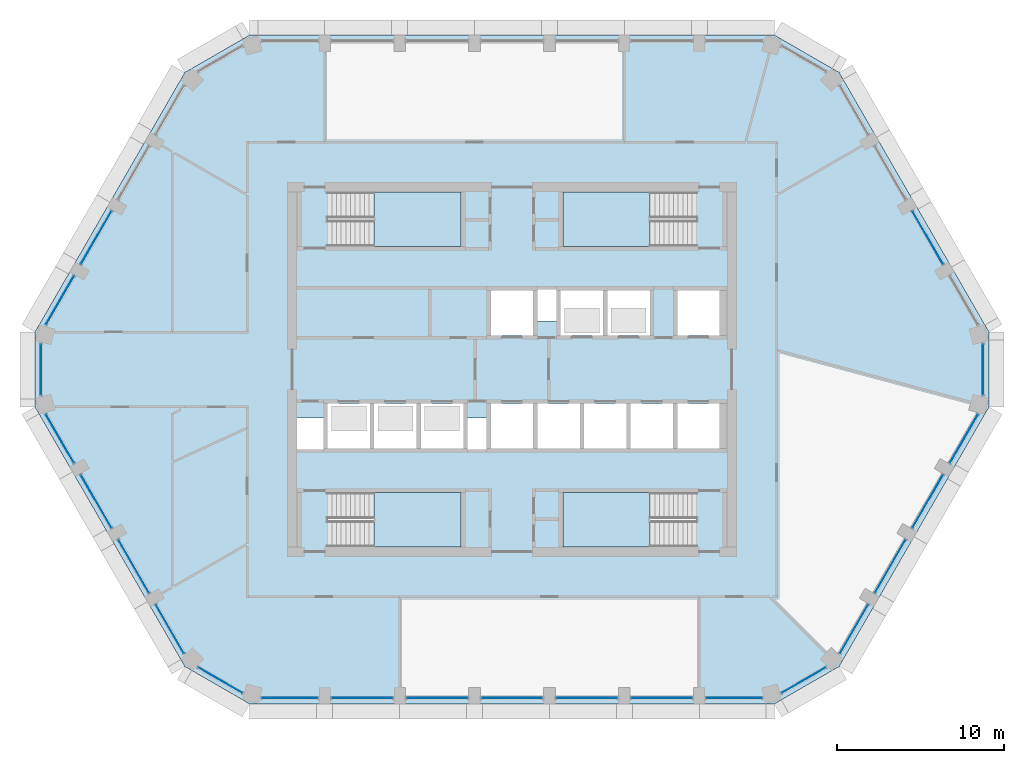
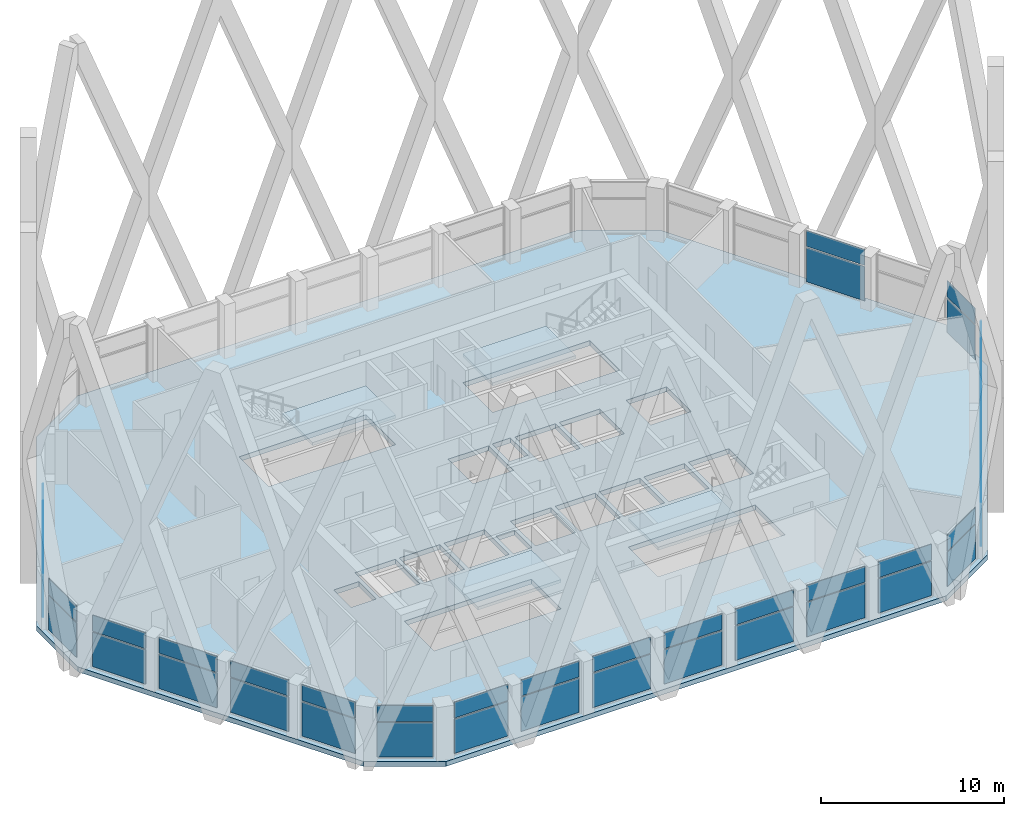
# One storey, part 7 of 20: 44 plates, 5 slabs, 26 elements without a shape of their own.
"""IFC4 building model written with IfcOpenShell, lengths in metres."""

from ifc_helpers import new_model, si_unit, direction, frame, origin, origin_2d, place, context, subcontext, project, spatial, polyline, rectangle, outline, extrude, material, layer, layer_set, type_object, element, aggregate, save


model = new_model("IFC4")

# Units and contexts
model_context = context("Model", 3, precision=1e-05, world=origin(), true_north=direction((0.0, 1.0)))
body_context = subcontext(model_context, "Body", "Model", "MODEL_VIEW")
ifc_project = project(units=[si_unit("LENGTHUNIT", "METRE"), si_unit("AREAUNIT", "SQUARE_METRE"), si_unit("VOLUMEUNIT", "CUBIC_METRE"), si_unit("PLANEANGLEUNIT", "RADIAN"), si_unit("MASSUNIT", "GRAM", prefix="KILO")], contexts=[model_context])

# Site, building, storey
site_placement = place(None, origin())
site = spatial("IfcSite", under=ifc_project, at=site_placement, CompositionType="ELEMENT")
building_placement = place(site_placement, origin())
building = spatial("IfcBuilding", under=site, at=building_placement, Name="Dhurran Vertical Campus", CompositionType="ELEMENT")
storey_placement = place(building_placement, frame((0.0, 0.0, 235.199951171875)))
storey = spatial("IfcBuildingStorey", under=building, at=storey_placement, Name="L58", CompositionType="ELEMENT", Elevation=235.199951171875)

# Slab
ifc_material_1 = material(Name="Concrete C40/50", Category="concrete")
ifc_layer_1 = layer(ifc_material_1, 0.324951171875)
ifc_layer_set_1 = layer_set([ifc_layer_1], Name="Concrete C40/50")
slab_type_1 = type_object("IfcSlabType", Name="FR POST-TENSIONED FLAT SLAB 325", PredefinedType="FLOOR", material=ifc_layer_set_1)
slab_1_placement = place(storey_placement, frame((0.0, 0.0, -0.324951171875)))
element("IfcSlab", 1, at=slab_1_placement, inside=storey, type_object=slab_type_1, Name="Floor slab L58", PredefinedType="FLOOR", context=body_context, shape_type="SweptSolid", body=[
    extrude(outline(polyline([(-15.75, -20.08837890625), (15.75, -20.08837890625), (19.647216796875, -17.83837890625), (28.647216796875, -2.25), (28.647216796875, 2.25), (19.647216796875, 17.83837890625), (15.75, 20.08837890625), (-15.75, 20.08837890625), (-19.647216796875, 17.83837890625), (-28.647216796875, 2.25), (-28.647216796875, -2.25), (-19.647216796875, -17.83837890625), (-15.75, -20.08837890625)]), holes=[polyline([(-1.27490234375, 2.050048828125), (1.27490234375, 2.050048828125), (1.27490234375, 4.75), (-1.27490234375, 4.75), (-1.27490234375, 2.050048828125)]), polyline([(9.925048828125, 2.050048828125), (12.47509765625, 2.050048828125), (12.47509765625, 4.75), (9.925048828125, 4.75), (9.925048828125, 2.050048828125)]), polyline([(-1.27490234375, -4.75), (1.27490234375, -4.75), (1.27490234375, -2.050048828125), (-1.27490234375, -2.050048828125), (-1.27490234375, -4.75)]), polyline([(1.52490234375, -4.75), (4.074951171875, -4.75), (4.074951171875, -2.050048828125), (1.52490234375, -2.050048828125), (1.52490234375, -4.75)]), polyline([(4.324951171875, -4.75), (6.875, -4.75), (6.875, -2.050048828125), (4.324951171875, -2.050048828125), (4.324951171875, -4.75)]), polyline([(7.125, -4.75), (9.675048828125, -4.75), (9.675048828125, -2.050048828125), (7.125, -2.050048828125), (7.125, -4.75)]), polyline([(9.925048828125, -4.75), (12.47509765625, -4.75), (12.47509765625, -2.050048828125), (9.925048828125, -2.050048828125), (9.925048828125, -4.75)]), polyline([(2.925048828125, 2.050048828125), (5.47509765625, 2.050048828125), (5.47509765625, 4.75), (2.925048828125, 4.75), (2.925048828125, 2.050048828125)]), polyline([(5.72509765625, 2.050048828125), (8.27490234375, 2.050048828125), (8.27490234375, 4.75), (5.72509765625, 4.75), (5.72509765625, 2.050048828125)]), polyline([(-11.074951171875, -4.75), (-8.52490234375, -4.75), (-8.52490234375, -2.050048828125), (-11.074951171875, -2.050048828125), (-11.074951171875, -4.75)]), polyline([(-8.27490234375, -4.75), (-5.72509765625, -4.75), (-5.72509765625, -2.050048828125), (-8.27490234375, -2.050048828125), (-8.27490234375, -4.75)]), polyline([(-5.47509765625, -4.75), (-2.925048828125, -4.75), (-2.925048828125, -2.050048828125), (-5.47509765625, -2.050048828125), (-5.47509765625, -4.75)]), polyline([(-11.050048828125, 7.39990234375), (-3.050048828125, 7.39990234375), (-3.050048828125, 10.64990234375), (-11.050048828125, 10.64990234375), (-11.050048828125, 7.39990234375)]), polyline([(3.050048828125, 7.39990234375), (11.050048828125, 7.39990234375), (11.050048828125, 10.64990234375), (3.050048828125, 10.64990234375), (3.050048828125, 7.39990234375)]), polyline([(-11.050048828125, -10.64990234375), (-3.050048828125, -10.64990234375), (-3.050048828125, -7.39990234375), (-11.050048828125, -7.39990234375), (-11.050048828125, -10.64990234375)]), polyline([(3.050048828125, -10.64990234375), (11.050048828125, -10.64990234375), (11.050048828125, -7.39990234375), (3.050048828125, -7.39990234375), (3.050048828125, -10.64990234375)]), polyline([(2.675048828125, 2.89990234375), (1.52490234375, 2.89990234375), (1.52490234375, 4.800048828125), (2.675048828125, 4.800048828125), (2.675048828125, 2.89990234375)]), polyline([(-12.89990234375, -2.89990234375), (-11.324951171875, -2.89990234375), (-11.324951171875, -4.800048828125), (-12.89990234375, -4.800048828125), (-12.89990234375, -2.89990234375)]), polyline([(-2.675048828125, -2.89990234375), (-1.52490234375, -2.89990234375), (-1.52490234375, -4.800048828125), (-2.675048828125, -4.800048828125), (-2.675048828125, -2.89990234375)])]), origin(), (0.0, 0.0, 1.0), 0.324951171875),
])

# Curtain wall, plates
ifc_material_2 = material(Name="Aluminium frame with solar-control glass", Category="aluminium")
ifc_layer_2 = layer(ifc_material_2, 0.25)
ifc_layer_set_2 = layer_set([ifc_layer_2], Name="Aluminium frame with solar-control glass")
curtain_wall_type = type_object("IfcCurtainWallType", Name="Sky lobby glazing system", PredefinedType="NOTDEFINED", material=ifc_layer_set_2)
curtain_wall_1_placement = place(storey_placement, origin())
curtain_wall_1 = element("IfcCurtainWall", 2, at=curtain_wall_1_placement, inside=storey, type_object=curtain_wall_type, Name="CW3 L58.00", PredefinedType="NOTDEFINED")
ifc_material_3 = material(Name="Clear solar-control glass", Category="glass")
ifc_layer_3 = layer(ifc_material_3, 0.028076171875)
ifc_layer_set_3 = layer_set([ifc_layer_3], Name="Clear solar-control glass")
plate_type = type_object("IfcPlateType", Name="Sky lobby glazing system panel", PredefinedType="CURTAIN_PANEL", material=ifc_layer_set_3)
plate_1_placement = place(storey_placement, frame((-13.349365234375, -19.738525390625, 0.070068359375), z_axis=(0.0, 0.0, 1.0), x_axis=(1.0, 0.0, 0.0)))
plate_1 = element("IfcPlate", 3, at=plate_1_placement, type_object=plate_type, Name="CW3 panel 1.1", PredefinedType="CURTAIN_PANEL", context=body_context, shape_type="SweptSolid", body=[
    extrude(rectangle(XDim=3.357666015625, YDim=0.028076171875, at=origin_2d()), origin(), (0.0, 0.0, 1.0), 2.294921875),
])
plate_2_placement = place(storey_placement, frame((-13.349365234375, -19.738525390625, 2.43505859375), z_axis=(0.0, 0.0, 1.0), x_axis=(1.0, 0.0, 0.0)))
plate_2 = element("IfcPlate", 4, at=plate_2_placement, type_object=plate_type, Name="CW3 panel 1.2", PredefinedType="CURTAIN_PANEL", context=body_context, shape_type="SweptSolid", body=[
    extrude(rectangle(XDim=3.357666015625, YDim=0.028076171875, at=origin_2d()), origin(), (0.0, 0.0, 1.0), 1.070068359375),
])
aggregate(curtain_wall_1, [plate_1, plate_2])

curtain_wall_2_placement = place(storey_placement, origin())
curtain_wall_2 = element("IfcCurtainWall", 5, at=curtain_wall_2_placement, inside=storey, type_object=curtain_wall_type, Name="CW3 L58.01", PredefinedType="NOTDEFINED")
plate_3_placement = place(storey_placement, frame((-9.0, -19.738525390625, 0.070068359375), z_axis=(0.0, 0.0, 1.0), x_axis=(1.0, 0.0, 0.0)))
plate_3 = element("IfcPlate", 6, at=plate_3_placement, type_object=plate_type, Name="CW3 panel 1.1", PredefinedType="CURTAIN_PANEL", context=body_context, shape_type="SweptSolid", body=[
    extrude(rectangle(XDim=3.658935546875, YDim=0.028076171875, at=origin_2d()), origin(), (0.0, 0.0, 1.0), 2.294921875),
])
plate_4_placement = place(storey_placement, frame((-9.0, -19.738525390625, 2.43505859375), z_axis=(0.0, 0.0, 1.0), x_axis=(1.0, 0.0, 0.0)))
plate_4 = element("IfcPlate", 7, at=plate_4_placement, type_object=plate_type, Name="CW3 panel 1.2", PredefinedType="CURTAIN_PANEL", context=body_context, shape_type="SweptSolid", body=[
    extrude(rectangle(XDim=3.658935546875, YDim=0.028076171875, at=origin_2d()), origin(), (0.0, 0.0, 1.0), 1.070068359375),
])
aggregate(curtain_wall_2, [plate_3, plate_4])

curtain_wall_3_placement = place(storey_placement, origin())
curtain_wall_3 = element("IfcCurtainWall", 8, at=curtain_wall_3_placement, inside=storey, type_object=curtain_wall_type, Name="CW3 L58.02", PredefinedType="NOTDEFINED")
plate_5_placement = place(storey_placement, frame((-4.5, -19.738525390625, 0.070068359375), z_axis=(0.0, 0.0, 1.0), x_axis=(1.0, 0.0, 0.0)))
plate_5 = element("IfcPlate", 9, at=plate_5_placement, type_object=plate_type, Name="CW3 panel 1.1", PredefinedType="CURTAIN_PANEL", context=body_context, shape_type="SweptSolid", body=[
    extrude(rectangle(XDim=3.658935546875, YDim=0.028076171875, at=origin_2d()), origin(), (0.0, 0.0, 1.0), 2.294921875),
])
plate_6_placement = place(storey_placement, frame((-4.5, -19.738525390625, 2.43505859375), z_axis=(0.0, 0.0, 1.0), x_axis=(1.0, 0.0, 0.0)))
plate_6 = element("IfcPlate", 10, at=plate_6_placement, type_object=plate_type, Name="CW3 panel 1.2", PredefinedType="CURTAIN_PANEL", context=body_context, shape_type="SweptSolid", body=[
    extrude(rectangle(XDim=3.658935546875, YDim=0.028076171875, at=origin_2d()), origin(), (0.0, 0.0, 1.0), 1.070068359375),
])
aggregate(curtain_wall_3, [plate_5, plate_6])

curtain_wall_4_placement = place(storey_placement, origin())
curtain_wall_4 = element("IfcCurtainWall", 11, at=curtain_wall_4_placement, inside=storey, type_object=curtain_wall_type, Name="CW3 L58.03", PredefinedType="NOTDEFINED")
plate_7_placement = place(storey_placement, frame((0.0, -19.738525390625, 0.070068359375), z_axis=(0.0, 0.0, 1.0), x_axis=(1.0, 0.0, 0.0)))
plate_7 = element("IfcPlate", 12, at=plate_7_placement, type_object=plate_type, Name="CW3 panel 1.1", PredefinedType="CURTAIN_PANEL", context=body_context, shape_type="SweptSolid", body=[
    extrude(rectangle(XDim=3.658935546875, YDim=0.028076171875, at=origin_2d()), origin(), (0.0, 0.0, 1.0), 2.294921875),
])
plate_8_placement = place(storey_placement, frame((0.0, -19.738525390625, 2.43505859375), z_axis=(0.0, 0.0, 1.0), x_axis=(1.0, 0.0, 0.0)))
plate_8 = element("IfcPlate", 13, at=plate_8_placement, type_object=plate_type, Name="CW3 panel 1.2", PredefinedType="CURTAIN_PANEL", context=body_context, shape_type="SweptSolid", body=[
    extrude(rectangle(XDim=3.658935546875, YDim=0.028076171875, at=origin_2d()), origin(), (0.0, 0.0, 1.0), 1.070068359375),
])
aggregate(curtain_wall_4, [plate_7, plate_8])

curtain_wall_5_placement = place(storey_placement, origin())
curtain_wall_5 = element("IfcCurtainWall", 14, at=curtain_wall_5_placement, inside=storey, type_object=curtain_wall_type, Name="CW3 L58.04", PredefinedType="NOTDEFINED")
plate_9_placement = place(storey_placement, frame((4.5, -19.738525390625, 0.070068359375), z_axis=(0.0, 0.0, 1.0), x_axis=(1.0, 0.0, 0.0)))
plate_9 = element("IfcPlate", 15, at=plate_9_placement, type_object=plate_type, Name="CW3 panel 1.1", PredefinedType="CURTAIN_PANEL", context=body_context, shape_type="SweptSolid", body=[
    extrude(rectangle(XDim=3.658935546875, YDim=0.028076171875, at=origin_2d()), origin(), (0.0, 0.0, 1.0), 2.294921875),
])
plate_10_placement = place(storey_placement, frame((4.5, -19.738525390625, 2.43505859375), z_axis=(0.0, 0.0, 1.0), x_axis=(1.0, 0.0, 0.0)))
plate_10 = element("IfcPlate", 16, at=plate_10_placement, type_object=plate_type, Name="CW3 panel 1.2", PredefinedType="CURTAIN_PANEL", context=body_context, shape_type="SweptSolid", body=[
    extrude(rectangle(XDim=3.658935546875, YDim=0.028076171875, at=origin_2d()), origin(), (0.0, 0.0, 1.0), 1.070068359375),
])
aggregate(curtain_wall_5, [plate_9, plate_10])

curtain_wall_6_placement = place(storey_placement, origin())
curtain_wall_6 = element("IfcCurtainWall", 17, at=curtain_wall_6_placement, inside=storey, type_object=curtain_wall_type, Name="CW3 L58.05", PredefinedType="NOTDEFINED")
plate_11_placement = place(storey_placement, frame((9.0, -19.738525390625, 0.070068359375), z_axis=(0.0, 0.0, 1.0), x_axis=(1.0, 0.0, 0.0)))
plate_11 = element("IfcPlate", 18, at=plate_11_placement, type_object=plate_type, Name="CW3 panel 1.1", PredefinedType="CURTAIN_PANEL", context=body_context, shape_type="SweptSolid", body=[
    extrude(rectangle(XDim=3.658935546875, YDim=0.028076171875, at=origin_2d()), origin(), (0.0, 0.0, 1.0), 2.294921875),
])
plate_12_placement = place(storey_placement, frame((9.0, -19.738525390625, 2.43505859375), z_axis=(0.0, 0.0, 1.0), x_axis=(1.0, 0.0, 0.0)))
plate_12 = element("IfcPlate", 19, at=plate_12_placement, type_object=plate_type, Name="CW3 panel 1.2", PredefinedType="CURTAIN_PANEL", context=body_context, shape_type="SweptSolid", body=[
    extrude(rectangle(XDim=3.658935546875, YDim=0.028076171875, at=origin_2d()), origin(), (0.0, 0.0, 1.0), 1.070068359375),
])
aggregate(curtain_wall_6, [plate_11, plate_12])

curtain_wall_7_placement = place(storey_placement, origin())
curtain_wall_7 = element("IfcCurtainWall", 20, at=curtain_wall_7_placement, inside=storey, type_object=curtain_wall_type, Name="CW3 L58.06", PredefinedType="NOTDEFINED")
plate_13_placement = place(storey_placement, frame((13.349365234375, -19.738525390625, 0.070068359375), z_axis=(0.0, 0.0, 1.0), x_axis=(1.0, 0.0, 0.0)))
plate_13 = element("IfcPlate", 21, at=plate_13_placement, type_object=plate_type, Name="CW3 panel 1.1", PredefinedType="CURTAIN_PANEL", context=body_context, shape_type="SweptSolid", body=[
    extrude(rectangle(XDim=3.357666015625, YDim=0.028076171875, at=origin_2d()), origin(), (0.0, 0.0, 1.0), 2.294921875),
])
plate_14_placement = place(storey_placement, frame((13.349365234375, -19.738525390625, 2.43505859375), z_axis=(0.0, 0.0, 1.0), x_axis=(1.0, 0.0, 0.0)))
plate_14 = element("IfcPlate", 22, at=plate_14_placement, type_object=plate_type, Name="CW3 panel 1.2", PredefinedType="CURTAIN_PANEL", context=body_context, shape_type="SweptSolid", body=[
    extrude(rectangle(XDim=3.357666015625, YDim=0.028076171875, at=origin_2d()), origin(), (0.0, 0.0, 1.0), 1.070068359375),
])
aggregate(curtain_wall_7, [plate_13, plate_14])

curtain_wall_8_placement = place(storey_placement, origin())
curtain_wall_8 = element("IfcCurtainWall", 23, at=curtain_wall_8_placement, inside=storey, type_object=curtain_wall_type, Name="CW3 L58.07", PredefinedType="NOTDEFINED")
plate_15_placement = place(storey_placement, frame((17.523681640625, -18.660400390625, 0.070068359375), z_axis=(0.0, 0.0, 1.0), x_axis=(0.866026155017, 0.499998698825, 0.0)))
plate_15 = element("IfcPlate", 24, at=plate_15_placement, type_object=plate_type, Name="CW3 panel 1.1", PredefinedType="CURTAIN_PANEL", context=body_context, shape_type="SweptSolid", body=[
    extrude(rectangle(XDim=3.05615234375, YDim=0.028076171875, at=origin_2d()), origin(), (0.0, 0.0, 1.0), 2.294921875),
])
plate_16_placement = place(storey_placement, frame((17.523681640625, -18.660400390625, 2.43505859375), z_axis=(0.0, 0.0, 1.0), x_axis=(0.866026155017, 0.499998698825, 0.0)))
plate_16 = element("IfcPlate", 25, at=plate_16_placement, type_object=plate_type, Name="CW3 panel 1.2", PredefinedType="CURTAIN_PANEL", context=body_context, shape_type="SweptSolid", body=[
    extrude(rectangle(XDim=3.05615234375, YDim=0.028076171875, at=origin_2d()), origin(), (0.0, 0.0, 1.0), 1.070068359375),
])
aggregate(curtain_wall_8, [plate_15, plate_16])

curtain_wall_9_placement = place(storey_placement, origin())
curtain_wall_9 = element("IfcCurtainWall", 26, at=curtain_wall_9_placement, inside=storey, type_object=curtain_wall_type, Name="CW3 L58.08", PredefinedType="NOTDEFINED")
plate_17_placement = place(storey_placement, frame((20.54443359375, -15.58447265625, 0.070068359375), z_axis=(0.0, 0.0, 1.0), x_axis=(0.500010356607, 0.866019424312, 0.0)))
plate_17 = element("IfcPlate", 27, at=plate_17_placement, type_object=plate_type, Name="CW3 panel 1.1", PredefinedType="CURTAIN_PANEL", context=body_context, shape_type="SweptSolid", body=[
    extrude(rectangle(XDim=3.357666015625, YDim=0.028076171875, at=origin_2d()), origin(), (0.0, 0.0, 1.0), 2.294921875),
])
plate_18_placement = place(storey_placement, frame((20.54443359375, -15.58447265625, 2.43505859375), z_axis=(0.0, 0.0, 1.0), x_axis=(0.500010356607, 0.866019424312, 0.0)))
plate_18 = element("IfcPlate", 28, at=plate_18_placement, type_object=plate_type, Name="CW3 panel 1.2", PredefinedType="CURTAIN_PANEL", context=body_context, shape_type="SweptSolid", body=[
    extrude(rectangle(XDim=3.357666015625, YDim=0.028076171875, at=origin_2d()), origin(), (0.0, 0.0, 1.0), 1.070068359375),
])
aggregate(curtain_wall_9, [plate_17, plate_18])

curtain_wall_10_placement = place(storey_placement, origin())
curtain_wall_10 = element("IfcCurtainWall", 29, at=curtain_wall_10_placement, inside=storey, type_object=curtain_wall_type, Name="CW3 L58.09", PredefinedType="NOTDEFINED")
plate_19_placement = place(storey_placement, frame((22.718994140625, -11.81787109375, 0.070068359375), z_axis=(0.0, 0.0, 1.0), x_axis=(0.500003477457, 0.866023396064, 0.0)))
plate_19 = element("IfcPlate", 30, at=plate_19_placement, type_object=plate_type, Name="CW3 panel 1.1", PredefinedType="CURTAIN_PANEL", context=body_context, shape_type="SweptSolid", body=[
    extrude(rectangle(XDim=3.658935546875, YDim=0.028076171875, at=origin_2d()), origin(), (0.0, 0.0, 1.0), 2.294921875),
])
plate_20_placement = place(storey_placement, frame((22.718994140625, -11.81787109375, 2.43505859375), z_axis=(0.0, 0.0, 1.0), x_axis=(0.500003477457, 0.866023396064, 0.0)))
plate_20 = element("IfcPlate", 31, at=plate_20_placement, type_object=plate_type, Name="CW3 panel 1.2", PredefinedType="CURTAIN_PANEL", context=body_context, shape_type="SweptSolid", body=[
    extrude(rectangle(XDim=3.658935546875, YDim=0.028076171875, at=origin_2d()), origin(), (0.0, 0.0, 1.0), 1.070068359375),
])
aggregate(curtain_wall_10, [plate_19, plate_20])

curtain_wall_11_placement = place(storey_placement, origin())
curtain_wall_11 = element("IfcCurtainWall", 32, at=curtain_wall_11_placement, inside=storey, type_object=curtain_wall_type, Name="CW3 L58.10", PredefinedType="NOTDEFINED")
plate_21_placement = place(storey_placement, frame((24.968994140625, -7.920654296875, 0.070068359375), z_axis=(0.0, 0.0, 1.0), x_axis=(0.500003477457, 0.866023396064, 0.0)))
plate_21 = element("IfcPlate", 33, at=plate_21_placement, type_object=plate_type, Name="CW3 panel 1.1", PredefinedType="CURTAIN_PANEL", context=body_context, shape_type="SweptSolid", body=[
    extrude(rectangle(XDim=3.658935546875, YDim=0.028076171875, at=origin_2d()), origin(), (0.0, 0.0, 1.0), 2.294921875),
])
plate_22_placement = place(storey_placement, frame((24.968994140625, -7.920654296875, 2.43505859375), z_axis=(0.0, 0.0, 1.0), x_axis=(0.500003477457, 0.866023396064, 0.0)))
plate_22 = element("IfcPlate", 34, at=plate_22_placement, type_object=plate_type, Name="CW3 panel 1.2", PredefinedType="CURTAIN_PANEL", context=body_context, shape_type="SweptSolid", body=[
    extrude(rectangle(XDim=3.658935546875, YDim=0.028076171875, at=origin_2d()), origin(), (0.0, 0.0, 1.0), 1.070068359375),
])
aggregate(curtain_wall_11, [plate_21, plate_22])

curtain_wall_12_placement = place(storey_placement, origin())
curtain_wall_12 = element("IfcCurtainWall", 35, at=curtain_wall_12_placement, inside=storey, type_object=curtain_wall_type, Name="CW3 L58.11", PredefinedType="NOTDEFINED")
plate_23_placement = place(storey_placement, frame((27.143798828125, -4.154052734375, 0.070068359375), z_axis=(0.0, 0.0, 1.0), x_axis=(0.500001294024, 0.866024656678, 0.0)))
plate_23 = element("IfcPlate", 36, at=plate_23_placement, type_object=plate_type, Name="CW3 panel 1.1", PredefinedType="CURTAIN_PANEL", context=body_context, shape_type="SweptSolid", body=[
    extrude(rectangle(XDim=3.357666015625, YDim=0.028076171875, at=origin_2d()), origin(), (0.0, 0.0, 1.0), 2.294921875),
])
plate_24_placement = place(storey_placement, frame((27.143798828125, -4.154052734375, 2.43505859375), z_axis=(0.0, 0.0, 1.0), x_axis=(0.500001294024, 0.866024656678, 0.0)))
plate_24 = element("IfcPlate", 37, at=plate_24_placement, type_object=plate_type, Name="CW3 panel 1.2", PredefinedType="CURTAIN_PANEL", context=body_context, shape_type="SweptSolid", body=[
    extrude(rectangle(XDim=3.357666015625, YDim=0.028076171875, at=origin_2d()), origin(), (0.0, 0.0, 1.0), 1.070068359375),
])
aggregate(curtain_wall_12, [plate_23, plate_24])

curtain_wall_13_placement = place(storey_placement, origin())
curtain_wall_13 = element("IfcCurtainWall", 38, at=curtain_wall_13_placement, inside=storey, type_object=curtain_wall_type, Name="CW3 L58.12", PredefinedType="NOTDEFINED")
plate_25_placement = place(storey_placement, frame((28.297119140625, 0.0, 0.070068359375), z_axis=(0.0, 0.0, 1.0), x_axis=(0.0, 1.0, 0.0)))
plate_25 = element("IfcPlate", 39, at=plate_25_placement, type_object=plate_type, Name="CW3 panel 1.1", PredefinedType="CURTAIN_PANEL", context=body_context, shape_type="SweptSolid", body=[
    extrude(rectangle(XDim=3.05615234375, YDim=0.028076171875, at=origin_2d()), origin(), (0.0, 0.0, 1.0), 2.294921875),
])
plate_26_placement = place(storey_placement, frame((28.297119140625, 0.0, 2.43505859375), z_axis=(0.0, 0.0, 1.0), x_axis=(0.0, 1.0, 0.0)))
plate_26 = element("IfcPlate", 40, at=plate_26_placement, type_object=plate_type, Name="CW3 panel 1.2", PredefinedType="CURTAIN_PANEL", context=body_context, shape_type="SweptSolid", body=[
    extrude(rectangle(XDim=3.05615234375, YDim=0.028076171875, at=origin_2d()), origin(), (0.0, 0.0, 1.0), 1.070068359375),
])
aggregate(curtain_wall_13, [plate_25, plate_26])

curtain_wall_14_placement = place(storey_placement, origin())
curtain_wall_14 = element("IfcCurtainWall", 41, at=curtain_wall_14_placement, inside=storey, type_object=curtain_wall_type, Name="CW3 L58.14", PredefinedType="NOTDEFINED")
plate_27_placement = place(storey_placement, frame((24.968994140625, 7.920654296875, 0.070068359375), z_axis=(0.0, 0.0, 1.0), x_axis=(-0.500003477457, 0.866023396064, 0.0)))
plate_27 = element("IfcPlate", 42, at=plate_27_placement, type_object=plate_type, Name="CW3 panel 1.1", PredefinedType="CURTAIN_PANEL", context=body_context, shape_type="SweptSolid", body=[
    extrude(rectangle(XDim=3.658935546875, YDim=0.028076171875, at=origin_2d()), origin(), (0.0, 0.0, 1.0), 2.294921875),
])
plate_28_placement = place(storey_placement, frame((24.968994140625, 7.920654296875, 2.43505859375), z_axis=(0.0, 0.0, 1.0), x_axis=(-0.500003477457, 0.866023396064, 0.0)))
plate_28 = element("IfcPlate", 43, at=plate_28_placement, type_object=plate_type, Name="CW3 panel 1.2", PredefinedType="CURTAIN_PANEL", context=body_context, shape_type="SweptSolid", body=[
    extrude(rectangle(XDim=3.658935546875, YDim=0.028076171875, at=origin_2d()), origin(), (0.0, 0.0, 1.0), 1.070068359375),
])
aggregate(curtain_wall_14, [plate_27, plate_28])

curtain_wall_15_placement = place(storey_placement, origin())
curtain_wall_15 = element("IfcCurtainWall", 44, at=curtain_wall_15_placement, inside=storey, type_object=curtain_wall_type, Name="CW3 L58.28", PredefinedType="NOTDEFINED")
plate_29_placement = place(storey_placement, frame((-24.968994140625, 7.920654296875, 0.070068359375), z_axis=(0.0, 0.0, 1.0), x_axis=(-0.500003477457, -0.866023396064, 0.0)))
plate_29 = element("IfcPlate", 45, at=plate_29_placement, type_object=plate_type, Name="CW3 panel 1.1", PredefinedType="CURTAIN_PANEL", context=body_context, shape_type="SweptSolid", body=[
    extrude(rectangle(XDim=3.658935546875, YDim=0.028076171875, at=origin_2d()), origin(), (0.0, 0.0, 1.0), 2.294921875),
])
plate_30_placement = place(storey_placement, frame((-24.968994140625, 7.920654296875, 2.43505859375), z_axis=(0.0, 0.0, 1.0), x_axis=(-0.500003477457, -0.866023396064, 0.0)))
plate_30 = element("IfcPlate", 46, at=plate_30_placement, type_object=plate_type, Name="CW3 panel 1.2", PredefinedType="CURTAIN_PANEL", context=body_context, shape_type="SweptSolid", body=[
    extrude(rectangle(XDim=3.658935546875, YDim=0.028076171875, at=origin_2d()), origin(), (0.0, 0.0, 1.0), 1.070068359375),
])
aggregate(curtain_wall_15, [plate_29, plate_30])

curtain_wall_16_placement = place(storey_placement, origin())
curtain_wall_16 = element("IfcCurtainWall", 47, at=curtain_wall_16_placement, inside=storey, type_object=curtain_wall_type, Name="CW3 L58.29", PredefinedType="NOTDEFINED")
plate_31_placement = place(storey_placement, frame((-27.143798828125, 4.154052734375, 0.070068359375), z_axis=(0.0, 0.0, 1.0), x_axis=(-0.500001294024, -0.866024656678, 0.0)))
plate_31 = element("IfcPlate", 48, at=plate_31_placement, type_object=plate_type, Name="CW3 panel 1.1", PredefinedType="CURTAIN_PANEL", context=body_context, shape_type="SweptSolid", body=[
    extrude(rectangle(XDim=3.357666015625, YDim=0.028076171875, at=origin_2d()), origin(), (0.0, 0.0, 1.0), 2.294921875),
])
plate_32_placement = place(storey_placement, frame((-27.143798828125, 4.154052734375, 2.43505859375), z_axis=(0.0, 0.0, 1.0), x_axis=(-0.500001294024, -0.866024656678, 0.0)))
plate_32 = element("IfcPlate", 49, at=plate_32_placement, type_object=plate_type, Name="CW3 panel 1.2", PredefinedType="CURTAIN_PANEL", context=body_context, shape_type="SweptSolid", body=[
    extrude(rectangle(XDim=3.357666015625, YDim=0.028076171875, at=origin_2d()), origin(), (0.0, 0.0, 1.0), 1.070068359375),
])
aggregate(curtain_wall_16, [plate_31, plate_32])

curtain_wall_17_placement = place(storey_placement, origin())
curtain_wall_17 = element("IfcCurtainWall", 50, at=curtain_wall_17_placement, inside=storey, type_object=curtain_wall_type, Name="CW3 L58.30", PredefinedType="NOTDEFINED")
plate_33_placement = place(storey_placement, frame((-28.297119140625, 0.0, 0.070068359375), z_axis=(0.0, 0.0, 1.0), x_axis=(0.0, -1.0, 0.0)))
plate_33 = element("IfcPlate", 51, at=plate_33_placement, type_object=plate_type, Name="CW3 panel 1.1", PredefinedType="CURTAIN_PANEL", context=body_context, shape_type="SweptSolid", body=[
    extrude(rectangle(XDim=3.05615234375, YDim=0.028076171875, at=origin_2d()), origin(), (0.0, 0.0, 1.0), 2.294921875),
])
plate_34_placement = place(storey_placement, frame((-28.297119140625, 0.0, 2.43505859375), z_axis=(0.0, 0.0, 1.0), x_axis=(0.0, -1.0, 0.0)))
plate_34 = element("IfcPlate", 52, at=plate_34_placement, type_object=plate_type, Name="CW3 panel 1.2", PredefinedType="CURTAIN_PANEL", context=body_context, shape_type="SweptSolid", body=[
    extrude(rectangle(XDim=3.05615234375, YDim=0.028076171875, at=origin_2d()), origin(), (0.0, 0.0, 1.0), 1.070068359375),
])
aggregate(curtain_wall_17, [plate_33, plate_34])

curtain_wall_18_placement = place(storey_placement, origin())
curtain_wall_18 = element("IfcCurtainWall", 53, at=curtain_wall_18_placement, inside=storey, type_object=curtain_wall_type, Name="CW3 L58.31", PredefinedType="NOTDEFINED")
plate_35_placement = place(storey_placement, frame((-27.143798828125, -4.154052734375, 0.070068359375), z_axis=(0.0, 0.0, 1.0), x_axis=(0.500001294024, -0.866024656678, 0.0)))
plate_35 = element("IfcPlate", 54, at=plate_35_placement, type_object=plate_type, Name="CW3 panel 1.1", PredefinedType="CURTAIN_PANEL", context=body_context, shape_type="SweptSolid", body=[
    extrude(rectangle(XDim=3.357666015625, YDim=0.028076171875, at=origin_2d()), origin(), (0.0, 0.0, 1.0), 2.294921875),
])
plate_36_placement = place(storey_placement, frame((-27.143798828125, -4.154052734375, 2.43505859375), z_axis=(0.0, 0.0, 1.0), x_axis=(0.500001294024, -0.866024656678, 0.0)))
plate_36 = element("IfcPlate", 55, at=plate_36_placement, type_object=plate_type, Name="CW3 panel 1.2", PredefinedType="CURTAIN_PANEL", context=body_context, shape_type="SweptSolid", body=[
    extrude(rectangle(XDim=3.357666015625, YDim=0.028076171875, at=origin_2d()), origin(), (0.0, 0.0, 1.0), 1.070068359375),
])
aggregate(curtain_wall_18, [plate_35, plate_36])

curtain_wall_19_placement = place(storey_placement, origin())
curtain_wall_19 = element("IfcCurtainWall", 56, at=curtain_wall_19_placement, inside=storey, type_object=curtain_wall_type, Name="CW3 L58.32", PredefinedType="NOTDEFINED")
plate_37_placement = place(storey_placement, frame((-24.968994140625, -7.920654296875, 0.070068359375), z_axis=(0.0, 0.0, 1.0), x_axis=(0.500003477457, -0.866023396064, 0.0)))
plate_37 = element("IfcPlate", 57, at=plate_37_placement, type_object=plate_type, Name="CW3 panel 1.1", PredefinedType="CURTAIN_PANEL", context=body_context, shape_type="SweptSolid", body=[
    extrude(rectangle(XDim=3.658935546875, YDim=0.028076171875, at=origin_2d()), origin(), (0.0, 0.0, 1.0), 2.294921875),
])
plate_38_placement = place(storey_placement, frame((-24.968994140625, -7.920654296875, 2.43505859375), z_axis=(0.0, 0.0, 1.0), x_axis=(0.500003477457, -0.866023396064, 0.0)))
plate_38 = element("IfcPlate", 58, at=plate_38_placement, type_object=plate_type, Name="CW3 panel 1.2", PredefinedType="CURTAIN_PANEL", context=body_context, shape_type="SweptSolid", body=[
    extrude(rectangle(XDim=3.658935546875, YDim=0.028076171875, at=origin_2d()), origin(), (0.0, 0.0, 1.0), 1.070068359375),
])
aggregate(curtain_wall_19, [plate_37, plate_38])

curtain_wall_20_placement = place(storey_placement, origin())
curtain_wall_20 = element("IfcCurtainWall", 59, at=curtain_wall_20_placement, inside=storey, type_object=curtain_wall_type, Name="CW3 L58.33", PredefinedType="NOTDEFINED")
plate_39_placement = place(storey_placement, frame((-22.718994140625, -11.81787109375, 0.070068359375), z_axis=(0.0, 0.0, 1.0), x_axis=(0.500003477457, -0.866023396064, 0.0)))
plate_39 = element("IfcPlate", 60, at=plate_39_placement, type_object=plate_type, Name="CW3 panel 1.1", PredefinedType="CURTAIN_PANEL", context=body_context, shape_type="SweptSolid", body=[
    extrude(rectangle(XDim=3.658935546875, YDim=0.028076171875, at=origin_2d()), origin(), (0.0, 0.0, 1.0), 2.294921875),
])
plate_40_placement = place(storey_placement, frame((-22.718994140625, -11.81787109375, 2.43505859375), z_axis=(0.0, 0.0, 1.0), x_axis=(0.500003477457, -0.866023396064, 0.0)))
plate_40 = element("IfcPlate", 61, at=plate_40_placement, type_object=plate_type, Name="CW3 panel 1.2", PredefinedType="CURTAIN_PANEL", context=body_context, shape_type="SweptSolid", body=[
    extrude(rectangle(XDim=3.658935546875, YDim=0.028076171875, at=origin_2d()), origin(), (0.0, 0.0, 1.0), 1.070068359375),
])
aggregate(curtain_wall_20, [plate_39, plate_40])

curtain_wall_21_placement = place(storey_placement, origin())
curtain_wall_21 = element("IfcCurtainWall", 62, at=curtain_wall_21_placement, inside=storey, type_object=curtain_wall_type, Name="CW3 L58.34", PredefinedType="NOTDEFINED")
plate_41_placement = place(storey_placement, frame((-20.54443359375, -15.58447265625, 0.070068359375), z_axis=(0.0, 0.0, 1.0), x_axis=(0.500010356607, -0.866019424312, 0.0)))
plate_41 = element("IfcPlate", 63, at=plate_41_placement, type_object=plate_type, Name="CW3 panel 1.1", PredefinedType="CURTAIN_PANEL", context=body_context, shape_type="SweptSolid", body=[
    extrude(rectangle(XDim=3.357666015625, YDim=0.028076171875, at=origin_2d()), origin(), (0.0, 0.0, 1.0), 2.294921875),
])
plate_42_placement = place(storey_placement, frame((-20.54443359375, -15.58447265625, 2.43505859375), z_axis=(0.0, 0.0, 1.0), x_axis=(0.500010356607, -0.866019424312, 0.0)))
plate_42 = element("IfcPlate", 64, at=plate_42_placement, type_object=plate_type, Name="CW3 panel 1.2", PredefinedType="CURTAIN_PANEL", context=body_context, shape_type="SweptSolid", body=[
    extrude(rectangle(XDim=3.357666015625, YDim=0.028076171875, at=origin_2d()), origin(), (0.0, 0.0, 1.0), 1.070068359375),
])
aggregate(curtain_wall_21, [plate_41, plate_42])

curtain_wall_22_placement = place(storey_placement, origin())
curtain_wall_22 = element("IfcCurtainWall", 65, at=curtain_wall_22_placement, inside=storey, type_object=curtain_wall_type, Name="CW3 L58.35", PredefinedType="NOTDEFINED")
plate_43_placement = place(storey_placement, frame((-17.523681640625, -18.660400390625, 0.070068359375), z_axis=(0.0, 0.0, 1.0), x_axis=(0.866026155017, -0.499998698825, 0.0)))
plate_43 = element("IfcPlate", 66, at=plate_43_placement, type_object=plate_type, Name="CW3 panel 1.1", PredefinedType="CURTAIN_PANEL", context=body_context, shape_type="SweptSolid", body=[
    extrude(rectangle(XDim=3.05615234375, YDim=0.028076171875, at=origin_2d()), origin(), (0.0, 0.0, 1.0), 2.294921875),
])
plate_44_placement = place(storey_placement, frame((-17.523681640625, -18.660400390625, 2.43505859375), z_axis=(0.0, 0.0, 1.0), x_axis=(0.866026155017, -0.499998698825, 0.0)))
plate_44 = element("IfcPlate", 67, at=plate_44_placement, type_object=plate_type, Name="CW3 panel 1.2", PredefinedType="CURTAIN_PANEL", context=body_context, shape_type="SweptSolid", body=[
    extrude(rectangle(XDim=3.05615234375, YDim=0.028076171875, at=origin_2d()), origin(), (0.0, 0.0, 1.0), 1.070068359375),
])
aggregate(curtain_wall_22, [plate_43, plate_44])

# Stair, slab
ifc_material_4 = material(Name="Concrete C40/50", Category="concrete")
stair_type = type_object("IfcStairType", Name="co-ST-CORE", PredefinedType="HALF_TURN_STAIR", material=ifc_material_4)
stair_1_placement = place(storey_placement, origin())
stair_1 = element("IfcStair", 68, at=stair_1_placement, inside=storey, type_object=stair_type, Name="L58 Protected exit stair ST1", PredefinedType="HALF_TURN_STAIR")
ifc_material_5 = material(Name="Concrete C40/50", Category="concrete")
ifc_layer_4 = layer(ifc_material_5, 0.199951171875)
ifc_layer_set_4 = layer_set([ifc_layer_4], Name="Concrete C40/50")
slab_type_2 = type_object("IfcSlabType", Name="co-SL-LANDING", PredefinedType="LANDING", material=ifc_layer_set_4)
slab_2_placement = place(storey_placement, frame((0.0, 0.0, 1.75)))
slab_2 = element("IfcSlab", 69, at=slab_2_placement, type_object=slab_type_2, Name="ST1 landing 1", PredefinedType="LANDING", context=body_context, shape_type="SweptSolid", body=[
    extrude(outline(polyline([(-8.300048828125, 7.39990234375), (-3.050048828125, 7.39990234375), (-3.050048828125, 10.64990234375), (-8.300048828125, 10.64990234375), (-8.300048828125, 7.39990234375)])), origin(), (0.0, 0.0, 1.0), 0.199951171875),
])
aggregate(stair_1, [slab_2])

stair_2_placement = place(storey_placement, origin())
stair_2 = element("IfcStair", 70, at=stair_2_placement, inside=storey, type_object=stair_type, Name="L58 Protected exit stair ST2", PredefinedType="HALF_TURN_STAIR")
slab_3_placement = place(storey_placement, frame((0.0, 0.0, 1.75)))
slab_3 = element("IfcSlab", 71, at=slab_3_placement, type_object=slab_type_2, Name="ST2 landing 1", PredefinedType="LANDING", context=body_context, shape_type="SweptSolid", body=[
    extrude(outline(polyline([(8.300048828125, 10.64990234375), (3.050048828125, 10.64990234375), (3.050048828125, 7.39990234375), (8.300048828125, 7.39990234375), (8.300048828125, 10.64990234375)])), origin(), (0.0, 0.0, 1.0), 0.199951171875),
])
aggregate(stair_2, [slab_3])

stair_3_placement = place(storey_placement, origin())
stair_3 = element("IfcStair", 72, at=stair_3_placement, inside=storey, type_object=stair_type, Name="L58 Protected exit stair ST3", PredefinedType="HALF_TURN_STAIR")
slab_4_placement = place(storey_placement, frame((0.0, 0.0, 1.75)))
slab_4 = element("IfcSlab", 73, at=slab_4_placement, type_object=slab_type_2, Name="ST3 landing 1", PredefinedType="LANDING", context=body_context, shape_type="SweptSolid", body=[
    extrude(outline(polyline([(-8.300048828125, -10.64990234375), (-3.050048828125, -10.64990234375), (-3.050048828125, -7.39990234375), (-8.300048828125, -7.39990234375), (-8.300048828125, -10.64990234375)])), origin(), (0.0, 0.0, 1.0), 0.199951171875),
])
aggregate(stair_3, [slab_4])

stair_4_placement = place(storey_placement, origin())
stair_4 = element("IfcStair", 74, at=stair_4_placement, inside=storey, type_object=stair_type, Name="L58 Protected exit stair ST4", PredefinedType="HALF_TURN_STAIR")
slab_5_placement = place(storey_placement, frame((0.0, 0.0, 1.75)))
slab_5 = element("IfcSlab", 75, at=slab_5_placement, type_object=slab_type_2, Name="ST4 landing 1", PredefinedType="LANDING", context=body_context, shape_type="SweptSolid", body=[
    extrude(outline(polyline([(8.300048828125, -7.39990234375), (3.050048828125, -7.39990234375), (3.050048828125, -10.64990234375), (8.300048828125, -10.64990234375), (8.300048828125, -7.39990234375)])), origin(), (0.0, 0.0, 1.0), 0.199951171875),
])
aggregate(stair_4, [slab_5])

save(model, "model.ifc")
